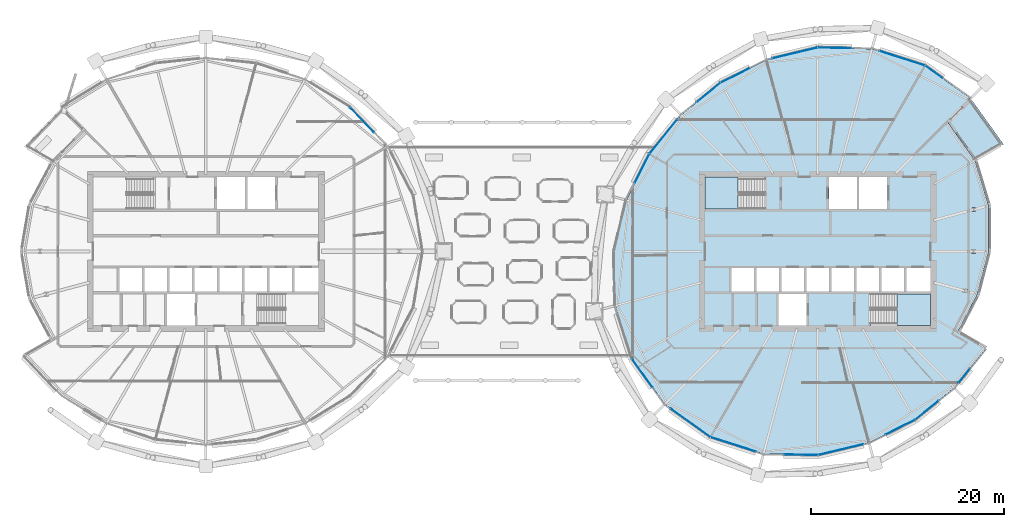
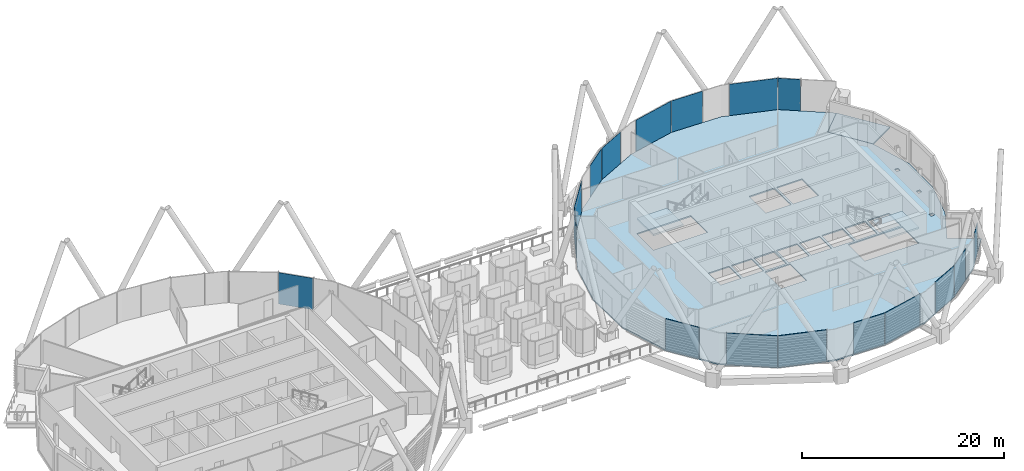
# One storey, part 21 of 38: 17 plates, 4 slabs, 4 elements without a shape of their own.
"""IFC4 building model written with IfcOpenShell, lengths in metres."""

from ifc_helpers import new_model, si_unit, direction, frame, origin, origin_2d, place, context, subcontext, project, spatial, polyline, rectangle, outline, extrude, material, layer, layer_set, type_object, element, aggregate, save


model = new_model("IFC4")

# Units and contexts
model_context = context("Model", 3, precision=1e-05, world=origin(), true_north=direction((0.0, 1.0)))
body_context = subcontext(model_context, "Body", "Model", "MODEL_VIEW")
ifc_project = project(units=[si_unit("LENGTHUNIT", "METRE"), si_unit("AREAUNIT", "SQUARE_METRE"), si_unit("VOLUMEUNIT", "CUBIC_METRE"), si_unit("PLANEANGLEUNIT", "RADIAN"), si_unit("MASSUNIT", "GRAM", prefix="KILO")], contexts=[model_context])

# Site, building, storey
site_placement = place(None, origin())
site = spatial("IfcSite", under=ifc_project, at=site_placement, CompositionType="ELEMENT")
building_placement = place(site_placement, origin())
building = spatial("IfcBuilding", under=site, at=building_placement, Name="Rimbun Link Towers", CompositionType="ELEMENT")
storey_placement = place(building_placement, frame((0.0, 0.0, 158.89990234375)))
storey = spatial("IfcBuildingStorey", under=building, at=storey_placement, Name="L38", CompositionType="ELEMENT", Elevation=158.89990234375)

# Slab
ifc_material_1 = material(Name="Concrete C35/45", Category="concrete")
ifc_layer_1 = layer(ifc_material_1, 0.14990234375)
ifc_layer_set_1 = layer_set([ifc_layer_1], Name="COMPOSITE FLOOR 150")
slab_type_1 = type_object("IfcSlabType", Name="COMPOSITE FLOOR 150", PredefinedType="FLOOR", material=ifc_layer_set_1)
slab_1_placement = place(storey_placement, frame((0.0, 0.0, -0.14990234375)))
element("IfcSlab", 1, at=slab_1_placement, inside=storey, type_object=slab_type_1, Name="Floor slab T2 L38", PredefinedType="FLOOR", context=body_context, shape_type="SweptSolid", body=[
    extrude(outline(polyline([(45.914794921875, -14.164794921875), (41.834716796875, -17.46728515625), (37.0712890625, -19.859619140625), (31.75, -21.132080078125), (26.119384765625, -21.013671875), (20.62646484375, -19.2666015625), (15.885498046875, -15.864501953125), (12.4833984375, -11.12353515625), (10.736328125, -5.630615234375), (10.617919921875, 0.0), (11.890380859375, 5.3212890625), (14.28271484375, 10.084716796875), (17.585205078125, 14.164794921875), (21.665283203125, 17.46728515625), (26.4287109375, 19.859619140625), (31.75, 21.132080078125), (37.380615234375, 21.013671875), (42.87353515625, 19.2666015625), (47.614501953125, 15.864501953125), (45.21044921875, 13.46044921875), (48.072265625, 9.423583984375), (49.4794921875, 4.75048828125), (49.482177734375, 0.0), (48.325439453125, -4.44140625), (46.27294921875, -8.384765625), (49.21728515625, -10.084716796875), (45.914794921875, -14.164794921875)]), holes=[polyline([(30.60009765625, -7.699951171875), (30.60009765625, -4.39990234375), (27.699951171875, -4.39990234375), (27.699951171875, -7.699951171875), (30.60009765625, -7.699951171875)]), polyline([(25.138916015625, -4.14990234375), (25.138916015625, -1.75), (22.79443359375, -1.75), (22.79443359375, -4.14990234375), (25.138916015625, -4.14990234375)]), polyline([(27.7333984375, -4.14990234375), (27.7333984375, -1.75), (25.388916015625, -1.75), (25.388916015625, -4.14990234375), (27.7333984375, -4.14990234375)]), polyline([(30.327880859375, -4.14990234375), (30.327880859375, -1.75), (27.9833984375, -1.75), (27.9833984375, -4.14990234375), (30.327880859375, -4.14990234375)]), polyline([(32.922119140625, -4.14990234375), (32.922119140625, -1.75), (30.577880859375, -1.75), (30.577880859375, -4.14990234375), (32.922119140625, -4.14990234375)]), polyline([(35.5166015625, -4.14990234375), (35.5166015625, -1.75), (33.172119140625, -1.75), (33.172119140625, -4.14990234375), (35.5166015625, -4.14990234375)]), polyline([(26.239990234375, 4.39990234375), (26.239990234375, 7.699951171875), (20.050048828125, 7.699951171875), (20.050048828125, 4.39990234375), (26.239990234375, 4.39990234375)]), polyline([(35.800048828125, 4.39990234375), (35.800048828125, 7.699951171875), (32.89990234375, 7.699951171875), (32.89990234375, 4.39990234375), (35.800048828125, 4.39990234375)]), polyline([(43.449951171875, -7.699951171875), (43.449951171875, -4.39990234375), (37.260009765625, -4.39990234375), (37.260009765625, -7.699951171875), (43.449951171875, -7.699951171875)]), polyline([(47.214599609375, -4.287109375), (47.214599609375, -3.8935546875), (46.815673828125, -3.8935546875), (46.815673828125, -4.287109375), (47.214599609375, -4.287109375)]), polyline([(38.111083984375, -4.14990234375), (38.111083984375, -1.75), (35.7666015625, -1.75), (35.7666015625, -4.14990234375), (38.111083984375, -4.14990234375)]), polyline([(40.70556640625, -4.14990234375), (40.70556640625, -1.75), (38.361083984375, -1.75), (38.361083984375, -4.14990234375), (40.70556640625, -4.14990234375)]), polyline([(43.449951171875, -4.14990234375), (43.449951171875, -1.75), (40.95556640625, -1.75), (40.95556640625, -4.14990234375), (43.449951171875, -4.14990234375)]), polyline([(48.1162109375, -0.19677734375), (48.1162109375, 0.19677734375), (47.71728515625, 0.19677734375), (47.71728515625, -0.19677734375), (48.1162109375, -0.19677734375)]), polyline([(48.135498046875, 4.140380859375), (48.135498046875, 4.533935546875), (47.736572265625, 4.533935546875), (47.736572265625, 4.140380859375), (48.135498046875, 4.140380859375)]), polyline([(38.949951171875, 4.39990234375), (38.949951171875, 7.699951171875), (36.050048828125, 7.699951171875), (36.050048828125, 4.39990234375), (38.949951171875, 4.39990234375)])]), origin(), (0.0, 0.0, 1.0), 0.14990234375),
])

# Curtain wall, plate
ifc_material_2 = material(Name="Aluminium 6063-T6 and low-iron glass", Category="aluminium")
curtain_wall_type = type_object("IfcCurtainWallType", Name="CW1-Z3 unitised vision wall (zone 3)", PredefinedType="NOTDEFINED", material=ifc_material_2)
curtain_wall_1_placement = place(storey_placement, origin())
curtain_wall_1 = element("IfcCurtainWall", 2, at=curtain_wall_1_placement, inside=storey, type_object=curtain_wall_type, Name="CW1 L38 T1", PredefinedType="NOTDEFINED")
ifc_material_3 = material(Name="Low-iron glass, laminated low-e unit", Category="glass")
ifc_layer_2 = layer(ifc_material_3, 0.028076171875)
ifc_layer_set_2 = layer_set([ifc_layer_2], Name="CW1 panel Low-iron glass 28")
plate_type = type_object("IfcPlateType", Name="CW1 panel Low-iron glass 28", PredefinedType="CURTAIN_PANEL", material=ifc_layer_set_2)
plate_1_placement = place(storey_placement, frame((-15.54052734375, 13.6416015625, 0.0), z_axis=(0.0, 0.0, 1.0), x_axis=(0.692052284405, -0.721847376977, 0.0)))
plate_1 = element("IfcPlate", 3, at=plate_1_placement, type_object=plate_type, Name="CW1 panel", PredefinedType="CURTAIN_PANEL", context=body_context, shape_type="SweptSolid", body=[
    extrude(rectangle(XDim=3.591796875, YDim=0.028076171875, at=origin_2d()), origin(), (0.0, 0.0, 1.0), 3.800048828125),
])
aggregate(curtain_wall_1, [plate_1])

# Curtain wall, plates
curtain_wall_2_placement = place(storey_placement, origin())
curtain_wall_2 = element("IfcCurtainWall", 4, at=curtain_wall_2_placement, inside=storey, type_object=curtain_wall_type, Name="CW1 L38 T2", PredefinedType="NOTDEFINED")
plate_2_placement = place(storey_placement, frame((43.81005859375, 18.61181640625, 0.0), z_axis=(0.0, 0.0, 1.0), x_axis=(0.812469429261, -0.583003796314, 0.0)))
plate_2 = element("IfcPlate", 5, at=plate_2_placement, type_object=plate_type, Name="CW1 panel", PredefinedType="CURTAIN_PANEL", context=body_context, shape_type="SweptSolid", body=[
    extrude(rectangle(XDim=2.245361328125, YDim=0.028076171875, at=origin_2d()), origin(), (0.0, 0.0, 1.0), 3.800048828125),
])
plate_3_placement = place(storey_placement, frame((40.512451171875, 20.0322265625, 0.0), z_axis=(0.0, 0.0, 1.0), x_axis=(0.952964505749, -0.303081920912, 0.0)))
plate_3 = element("IfcPlate", 6, at=plate_3_placement, type_object=plate_type, Name="CW1 panel", PredefinedType="CURTAIN_PANEL", context=body_context, shape_type="SweptSolid", body=[
    extrude(rectangle(XDim=4.924072265625, YDim=0.028076171875, at=origin_2d()), origin(), (0.0, 0.0, 1.0), 3.800048828125),
])
plate_4_placement = place(storey_placement, frame((33.515869140625, 21.10888671875, 0.0), z_axis=(0.0, 0.0, 1.0), x_axis=(0.999778238808, -0.021058803518, 0.0)))
plate_4 = element("IfcPlate", 7, at=plate_4_placement, type_object=plate_type, Name="CW1 panel", PredefinedType="CURTAIN_PANEL", context=body_context, shape_type="SweptSolid", body=[
    extrude(rectangle(XDim=3.491943359375, YDim=0.028076171875, at=origin_2d()), origin(), (0.0, 0.0, 1.0), 3.800048828125),
])
plate_5_placement = place(storey_placement, frame((29.3779296875, 20.579345703125, 0.0), z_axis=(0.0, 0.0, 1.0), x_axis=(0.972569993504, 0.232610420521, 0.0)))
plate_5 = element("IfcPlate", 8, at=plate_5_placement, type_object=plate_type, Name="CW1 panel", PredefinedType="CURTAIN_PANEL", context=body_context, shape_type="SweptSolid", body=[
    extrude(rectangle(XDim=4.831298828125, YDim=0.028076171875, at=origin_2d()), origin(), (0.0, 0.0, 1.0), 3.800048828125),
])
plate_6_placement = place(storey_placement, frame((23.191650390625, 18.24951171875, 0.0), z_axis=(0.0, 0.0, 1.0), x_axis=(0.893649163744, 0.448766277854, 0.0)))
plate_6 = element("IfcPlate", 9, at=plate_6_placement, type_object=plate_type, Name="CW1 panel", PredefinedType="CURTAIN_PANEL", context=body_context, shape_type="SweptSolid", body=[
    extrude(rectangle(XDim=3.390380859375, YDim=0.028076171875, at=origin_2d()), origin(), (0.0, 0.0, 1.0), 3.800048828125),
])
plate_7_placement = place(storey_placement, frame((20.4130859375, 16.471923828125, 0.0), z_axis=(0.0, 0.0, 1.0), x_axis=(0.777268827061, 0.629168634373, 0.0)))
plate_7 = element("IfcPlate", 10, at=plate_7_placement, type_object=plate_type, Name="CW1 panel", PredefinedType="CURTAIN_PANEL", context=body_context, shape_type="SweptSolid", body=[
    extrude(rectangle(XDim=3.1591796875, YDim=0.028076171875, at=origin_2d()), origin(), (0.0, 0.0, 1.0), 3.800048828125),
])
plate_8_placement = place(storey_placement, frame((15.734375, 11.900390625, 0.0), z_axis=(0.0, 0.0, 1.0), x_axis=(0.629168634373, 0.777268827061, 0.0)))
plate_8 = element("IfcPlate", 11, at=plate_8_placement, type_object=plate_type, Name="CW1 panel", PredefinedType="CURTAIN_PANEL", context=body_context, shape_type="SweptSolid", body=[
    extrude(rectangle(XDim=4.609130859375, YDim=0.028076171875, at=origin_2d()), origin(), (0.0, 0.0, 1.0), 3.800048828125),
])
plate_9_placement = place(storey_placement, frame((13.511474609375, 8.58056640625, 0.0), z_axis=(0.0, 0.0, 1.0), x_axis=(0.448766277854, 0.893649163744, 0.0)))
plate_9 = element("IfcPlate", 12, at=plate_9_placement, type_object=plate_type, Name="CW1 panel", PredefinedType="CURTAIN_PANEL", context=body_context, shape_type="SweptSolid", body=[
    extrude(rectangle(XDim=3.34033203125, YDim=0.028076171875, at=origin_2d()), origin(), (0.0, 0.0, 1.0), 3.800048828125),
])
plate_10_placement = place(storey_placement, frame((13.54638671875, -12.62890625, 0.0), z_axis=(0.0, 0.0, 1.0), x_axis=(-0.583003796314, 0.812469429261, 0.0)))
plate_10 = element("IfcPlate", 13, at=plate_10_placement, type_object=plate_type, Name="CW1 panel", PredefinedType="CURTAIN_PANEL", context=body_context, shape_type="SweptSolid", body=[
    extrude(rectangle(XDim=3.645263671875, YDim=0.028076171875, at=origin_2d()), origin(), (0.0, 0.0, 1.0), 3.800048828125),
])
plate_11_placement = place(storey_placement, frame((18.531982421875, -17.781005859375, 0.0), z_axis=(0.0, 0.0, 1.0), x_axis=(-0.812469429261, 0.583003796314, 0.0)))
plate_11 = element("IfcPlate", 14, at=plate_11_placement, type_object=plate_type, Name="CW1 panel", PredefinedType="CURTAIN_PANEL", context=body_context, shape_type="SweptSolid", body=[
    extrude(rectangle(XDim=5.09521484375, YDim=0.028076171875, at=origin_2d()), origin(), (0.0, 0.0, 1.0), 3.800048828125),
])
plate_12_placement = place(storey_placement, frame((22.987548828125, -20.0322265625, 0.0), z_axis=(0.0, 0.0, 1.0), x_axis=(-0.952964505749, 0.303081920912, 0.0)))
plate_12 = element("IfcPlate", 15, at=plate_12_placement, type_object=plate_type, Name="CW1 panel", PredefinedType="CURTAIN_PANEL", context=body_context, shape_type="SweptSolid", body=[
    extrude(rectangle(XDim=4.924072265625, YDim=0.028076171875, at=origin_2d()), origin(), (0.0, 0.0, 1.0), 3.800048828125),
])
plate_13_placement = place(storey_placement, frame((29.984130859375, -21.10888671875, 0.0), z_axis=(0.0, 0.0, 1.0), x_axis=(-0.999778238808, 0.021058803518, 0.0)))
plate_13 = element("IfcPlate", 16, at=plate_13_placement, type_object=plate_type, Name="CW1 panel", PredefinedType="CURTAIN_PANEL", context=body_context, shape_type="SweptSolid", body=[
    extrude(rectangle(XDim=3.491943359375, YDim=0.028076171875, at=origin_2d()), origin(), (0.0, 0.0, 1.0), 3.800048828125),
])
plate_14_placement = place(storey_placement, frame((34.1220703125, -20.579345703125, 0.0), z_axis=(0.0, 0.0, 1.0), x_axis=(-0.972569993504, -0.232610420521, 0.0)))
plate_14 = element("IfcPlate", 17, at=plate_14_placement, type_object=plate_type, Name="CW1 panel", PredefinedType="CURTAIN_PANEL", context=body_context, shape_type="SweptSolid", body=[
    extrude(rectangle(XDim=4.831298828125, YDim=0.028076171875, at=origin_2d()), origin(), (0.0, 0.0, 1.0), 3.800048828125),
])
plate_15_placement = place(storey_placement, frame((40.308349609375, -18.24951171875, 0.0), z_axis=(0.0, 0.0, 1.0), x_axis=(-0.893649163744, -0.448766277854, 0.0)))
plate_15 = element("IfcPlate", 18, at=plate_15_placement, type_object=plate_type, Name="CW1 panel", PredefinedType="CURTAIN_PANEL", context=body_context, shape_type="SweptSolid", body=[
    extrude(rectangle(XDim=3.390380859375, YDim=0.028076171875, at=origin_2d()), origin(), (0.0, 0.0, 1.0), 3.800048828125),
])
plate_16_placement = place(storey_placement, frame((43.0673828125, -16.487548828125, 0.0), z_axis=(0.0, 0.0, 1.0), x_axis=(-0.777268827061, -0.629168634373, 0.0)))
plate_16 = element("IfcPlate", 19, at=plate_16_placement, type_object=plate_type, Name="CW1 panel", PredefinedType="CURTAIN_PANEL", context=body_context, shape_type="SweptSolid", body=[
    extrude(rectangle(XDim=3.109130859375, YDim=0.028076171875, at=origin_2d()), origin(), (0.0, 0.0, 1.0), 3.800048828125),
])
plate_17_placement = place(storey_placement, frame((46.93212890625, -12.930419921875, 0.0), z_axis=(0.0, 0.0, 1.0), x_axis=(-0.629168634373, -0.777268827061, 0.0)))
plate_17 = element("IfcPlate", 20, at=plate_17_placement, type_object=plate_type, Name="CW1 panel", PredefinedType="CURTAIN_PANEL", context=body_context, shape_type="SweptSolid", body=[
    extrude(rectangle(XDim=1.859130859375, YDim=0.028076171875, at=origin_2d()), origin(), (0.0, 0.0, 1.0), 3.800048828125),
])
aggregate(curtain_wall_2, [plate_2, plate_3, plate_4, plate_5, plate_6, plate_7, plate_8, plate_9, plate_10, plate_11, plate_12, plate_13, plate_14, plate_15, plate_16, plate_17])

# Stair, slab
ifc_material_4 = material(Name="Concrete C40/50", Category="concrete")
stair_type = type_object("IfcStairType", Name="Exit stair 3800 rise", PredefinedType="HALF_TURN_STAIR", material=ifc_material_4)
stair_1_placement = place(storey_placement, origin())
stair_1 = element("IfcStair", 21, at=stair_1_placement, inside=storey, type_object=stair_type, Name="L38 EXIT STAIR A", PredefinedType="HALF_TURN_STAIR")
ifc_material_5 = material(Name="Concrete C40/50", Category="concrete")
ifc_layer_3 = layer(ifc_material_5, 0.199951171875)
ifc_layer_set_3 = layer_set([ifc_layer_3], Name="Stair landing")
slab_type_2 = type_object("IfcSlabType", Name="Stair landing", PredefinedType="LANDING", material=ifc_layer_set_3)
slab_2_placement = place(storey_placement, frame((0.0, 0.0, 1.7001953125)))
slab_2 = element("IfcSlab", 22, at=slab_2_placement, type_object=slab_type_2, Name="ST3 landing 1", PredefinedType="LANDING", context=body_context, shape_type="SweptSolid", body=[
    extrude(outline(polyline([(23.5, 7.699951171875), (20.050048828125, 7.699951171875), (20.050048828125, 4.39990234375), (23.5, 4.39990234375), (23.5, 7.699951171875)])), origin(), (0.0, 0.0, 1.0), 0.199951171875),
])
aggregate(stair_1, [slab_2])

stair_2_placement = place(storey_placement, origin())
stair_2 = element("IfcStair", 23, at=stair_2_placement, inside=storey, type_object=stair_type, Name="L38 EXIT STAIR B", PredefinedType="HALF_TURN_STAIR")
slab_3_placement = place(storey_placement, frame((0.0, 0.0, 1.7001953125)))
slab_3 = element("IfcSlab", 24, at=slab_3_placement, type_object=slab_type_2, Name="ST4 landing 1", PredefinedType="LANDING", context=body_context, shape_type="SweptSolid", body=[
    extrude(outline(polyline([(40.0, -7.699951171875), (43.449951171875, -7.699951171875), (43.449951171875, -4.39990234375), (40.0, -4.39990234375), (40.0, -7.699951171875)])), origin(), (0.0, 0.0, 1.0), 0.199951171875),
])
aggregate(stair_2, [slab_3])

# Slab
ifc_material_6 = material(Name="Concrete C35/45", Category="concrete")
ifc_layer_4 = layer(ifc_material_6, 0.14990234375)
ifc_layer_set_4 = layer_set([ifc_layer_4], Name="TERRACE SLAB 150")
slab_type_3 = type_object("IfcSlabType", Name="TERRACE SLAB 150", PredefinedType="FLOOR", material=ifc_layer_set_4)
slab_4_placement = place(storey_placement, frame((0.0, 0.0, -0.14990234375)))
element("IfcSlab", 25, at=slab_4_placement, inside=storey, type_object=slab_type_3, Name="Terrace slab T2 L38", PredefinedType="FLOOR", context=body_context, shape_type="SweptSolid", body=[
    extrude(outline(polyline([(48.072265625, 9.423583984375), (45.21044921875, 13.46044921875), (47.614501953125, 15.864501953125), (51.0166015625, 11.12353515625), (48.072265625, 9.423583984375)])), origin(), (0.0, 0.0, 1.0), 0.14990234375),
])

save(model, "model.ifc")
